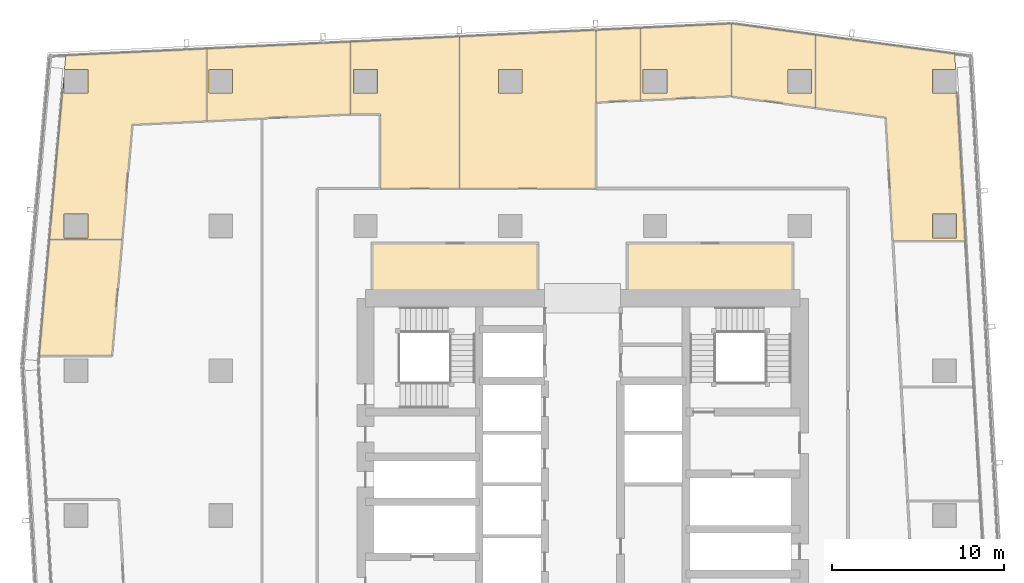
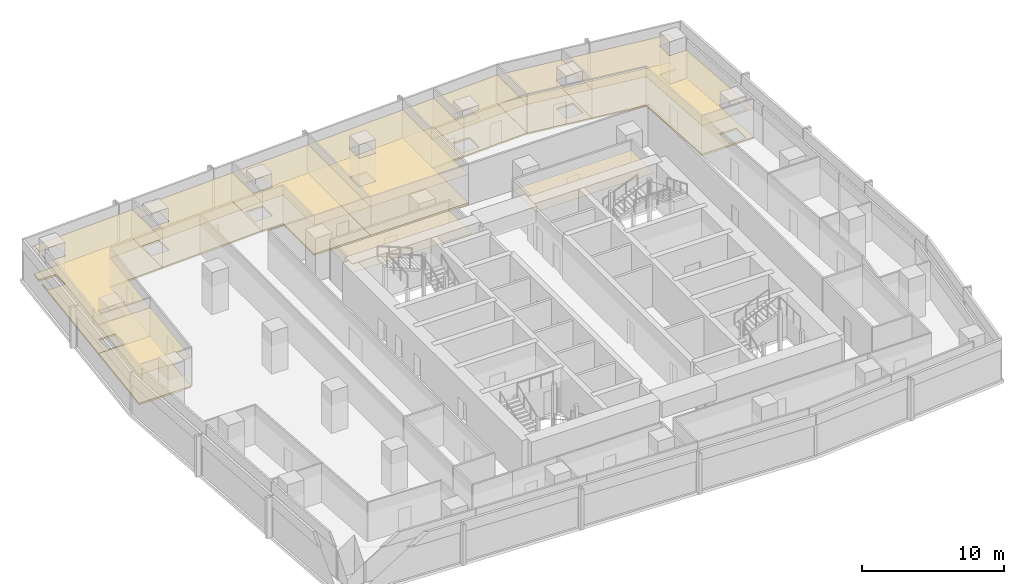
# One storey, part 38 of 38: 20 coverings.
"""IFC4 building model written with IfcOpenShell, lengths in metres."""

from ifc_helpers import new_model, si_unit, direction, frame, origin, place, context, subcontext, project, spatial, polyline, outline, extrude, material, layer, layer_set, type_object, element, save


model = new_model("IFC4")

# Units and contexts
model_context = context("Model", 3, precision=1e-05, world=origin(), true_north=direction((0.0, 1.0)))
body_context = subcontext(model_context, "Body", "Model", "MODEL_VIEW")
ifc_project = project(units=[si_unit("LENGTHUNIT", "METRE"), si_unit("AREAUNIT", "SQUARE_METRE"), si_unit("VOLUMEUNIT", "CUBIC_METRE"), si_unit("PLANEANGLEUNIT", "RADIAN"), si_unit("MASSUNIT", "GRAM", prefix="KILO")], contexts=[model_context])

# Site, building, storey
site_placement = place(None, origin())
site = spatial("IfcSite", under=ifc_project, at=site_placement, CompositionType="ELEMENT")
building_placement = place(site_placement, origin())
building = spatial("IfcBuilding", under=site, at=building_placement, Name="Rekha Terrace Tower", CompositionType="ELEMENT")
storey_placement = place(building_placement, frame((0.0, 0.0, 202.699951171875)))
storey = spatial("IfcBuildingStorey", under=building, at=storey_placement, Name="L51", CompositionType="ELEMENT", Elevation=202.699951171875)

# Coverings
ifc_material_1 = material(Name="Mineral fibre tile in exposed grid", Category="finish")
ifc_layer_1 = layer(ifc_material_1, 0.02001953125)
ifc_layer_set_1 = layer_set([ifc_layer_1], Name="Mineral fibre tile in exposed grid")
covering_type_1 = type_object("IfcCoveringType", Name="CL1 600x1200 office grid ceiling", PredefinedType="CEILING", material=ifc_layer_set_1)
covering_1_placement = place(storey_placement, frame((0.0, 0.0, 2.580078125)))
element("IfcCovering", 1, at=covering_1_placement, inside=storey, type_object=covering_type_1, Name="Ceiling L51-06", PredefinedType="CEILING", context=body_context, shape_type="SweptSolid", body=[
    extrude(outline(polyline([(59.39208984375, 60.39208984375), (51.31298828125, 61.490966796875), (51.31298828125, 57.2529296875), (55.39501953125, 56.697021484375), (55.802001953125, 49.52099609375), (60.009033203125, 49.52099609375), (59.51611328125, 58.2119140625), (59.489990234375, 58.2109375), (59.489990234375, 58.110107421875), (58.110107421875, 58.110107421875), (58.110107421875, 59.489990234375), (59.443115234375, 59.489990234375), (59.39208984375, 60.39208984375)]), holes=[polyline([(59.489990234375, 51.090087890625), (59.489990234375, 49.7099609375), (58.110107421875, 49.7099609375), (58.110107421875, 51.090087890625), (59.489990234375, 51.090087890625)])]), origin(), (0.0, 0.0, 1.0), 0.02001953125),
])
covering_2_placement = place(storey_placement, frame((0.0, 0.0, 2.580078125)))
element("IfcCovering", 2, at=covering_2_placement, inside=storey, type_object=covering_type_1, Name="Ceiling L51-07", PredefinedType="CEILING", context=body_context, shape_type="SweptSolid", body=[
    extrude(outline(polyline([(51.31201171875, 57.2529296875), (51.31201171875, 61.490966796875), (46.445068359375, 62.154052734375), (46.445068359375, 57.9150390625), (51.31201171875, 57.2529296875)]), holes=[polyline([(51.090087890625, 58.110107421875), (49.7099609375, 58.110107421875), (49.7099609375, 59.489990234375), (51.090087890625, 59.489990234375), (51.090087890625, 58.110107421875)])]), origin(), (0.0, 0.0, 1.0), 0.02001953125),
])
covering_3_placement = place(storey_placement, frame((0.0, 0.0, 2.580078125)))
element("IfcCovering", 3, at=covering_3_placement, inside=storey, type_object=covering_type_1, Name="Ceiling L51-08", PredefinedType="CEILING", context=body_context, shape_type="SweptSolid", body=[
    extrude(outline(polyline([(46.444091796875, 62.14697265625), (41.152099609375, 61.89404296875), (41.152099609375, 57.68994140625), (46.444091796875, 57.943115234375), (46.444091796875, 62.14697265625)]), holes=[polyline([(42.68994140625, 59.489990234375), (42.68994140625, 58.110107421875), (41.31005859375, 58.110107421875), (41.31005859375, 59.489990234375), (42.68994140625, 59.489990234375)])]), origin(), (0.0, 0.0, 1.0), 0.02001953125),
])
covering_4_placement = place(storey_placement, frame((0.0, 0.0, 2.580078125)))
element("IfcCovering", 4, at=covering_4_placement, inside=storey, type_object=covering_type_1, Name="Ceiling L51-09", PredefinedType="CEILING", context=body_context, shape_type="SweptSolid", body=[
    extrude(outline(polyline([(41.15087890625, 57.68994140625), (41.15087890625, 61.89404296875), (38.570068359375, 61.77099609375), (38.570068359375, 57.56591796875), (41.15087890625, 57.68994140625)])), origin(), (0.0, 0.0, 1.0), 0.02001953125),
])
covering_5_placement = place(storey_placement, frame((0.0, 0.0, 2.580078125)))
element("IfcCovering", 5, at=covering_5_placement, inside=storey, type_object=covering_type_1, Name="Ceiling L51-10", PredefinedType="CEILING", context=body_context, shape_type="SweptSolid", body=[
    extrude(outline(polyline([(24.318115234375, 61.090087890625), (24.318115234375, 56.885009765625), (26.05810546875, 56.885009765625), (26.05810546875, 52.574951171875), (30.660888671875, 52.574951171875), (30.660888671875, 61.39306640625), (24.318115234375, 61.090087890625)]), holes=[polyline([(25.889892578125, 58.110107421875), (24.510009765625, 58.110107421875), (24.510009765625, 59.489990234375), (25.889892578125, 59.489990234375), (25.889892578125, 58.110107421875)])]), origin(), (0.0, 0.0, 1.0), 0.02001953125),
])
covering_6_placement = place(storey_placement, frame((0.0, 0.0, 2.580078125)))
element("IfcCovering", 6, at=covering_6_placement, inside=storey, type_object=covering_type_1, Name="Ceiling L51-11", PredefinedType="CEILING", context=body_context, shape_type="SweptSolid", body=[
    extrude(outline(polyline([(24.31689453125, 56.885009765625), (24.31689453125, 61.090087890625), (15.989990234375, 60.69091796875), (15.989990234375, 56.487060546875), (24.31689453125, 56.885009765625)]), holes=[polyline([(17.489990234375, 59.489990234375), (17.489990234375, 58.110107421875), (16.110107421875, 58.110107421875), (16.110107421875, 59.489990234375), (17.489990234375, 59.489990234375)])]), origin(), (0.0, 0.0, 1.0), 0.02001953125),
])
covering_7_placement = place(storey_placement, frame((0.0, 0.0, 2.580078125)))
element("IfcCovering", 7, at=covering_7_placement, inside=storey, type_object=covering_type_1, Name="Ceiling L51-12", PredefinedType="CEILING", context=body_context, shape_type="SweptSolid", body=[
    extrude(outline(polyline([(7.68701171875, 59.0048828125), (6.85595703125, 49.60205078125), (11.072998046875, 49.60205078125), (11.662109375, 56.280029296875), (15.989013671875, 56.487060546875), (15.989013671875, 60.69091796875), (7.801025390625, 60.300048828125), (7.72900390625, 59.489990234375), (9.090087890625, 59.489990234375), (9.090087890625, 58.110107421875), (7.7099609375, 58.110107421875), (7.7099609375, 59.00390625), (7.68701171875, 59.0048828125)]), holes=[polyline([(9.090087890625, 49.7099609375), (7.7099609375, 49.7099609375), (7.7099609375, 51.090087890625), (9.090087890625, 51.090087890625), (9.090087890625, 49.7099609375)])]), origin(), (0.0, 0.0, 1.0), 0.02001953125),
])
covering_8_placement = place(storey_placement, frame((0.0, 0.0, 2.580078125)))
element("IfcCovering", 8, at=covering_8_placement, inside=storey, type_object=covering_type_1, Name="Ceiling L51-13", PredefinedType="CEILING", context=body_context, shape_type="SweptSolid", body=[
    extrude(outline(polyline([(11.072998046875, 49.60107421875), (6.85595703125, 49.60107421875), (6.261962890625, 42.87109375), (10.47900390625, 42.87109375), (11.072998046875, 49.60107421875)])), origin(), (0.0, 0.0, 1.0), 0.02001953125),
])
covering_9_placement = place(storey_placement, frame((0.0, 0.0, 2.580078125)))
element("IfcCovering", 9, at=covering_9_placement, inside=storey, type_object=covering_type_1, Name="Ceiling L51-20", PredefinedType="CEILING", context=body_context, shape_type="SweptSolid", body=[
    extrude(outline(polyline([(30.660888671875, 61.39306640625), (30.660888671875, 52.574951171875), (38.570068359375, 52.574951171875), (38.570068359375, 61.77099609375), (30.660888671875, 61.39306640625)]), holes=[polyline([(34.2900390625, 58.110107421875), (32.909912109375, 58.110107421875), (32.909912109375, 59.489990234375), (34.2900390625, 59.489990234375), (34.2900390625, 58.110107421875)])]), origin(), (0.0, 0.0, 1.0), 0.02001953125),
])
ifc_material_2 = material(Name="Fibre cement board", Category="finish")
ifc_layer_2 = layer(ifc_material_2, 0.014892578125)
ifc_layer_set_2 = layer_set([ifc_layer_2], Name="Fibre cement board")
covering_type_2 = type_object("IfcCoveringType", Name="CL2 moisture-resistant board ceiling", PredefinedType="CEILING", material=ifc_layer_set_2)
covering_10_placement = place(storey_placement, frame((0.0, 0.0, 2.5849609375)))
element("IfcCovering", 10, at=covering_10_placement, inside=storey, type_object=covering_type_2, Name="Ceiling L51-WCF", PredefinedType="CEILING", context=body_context, shape_type="SweptSolid", body=[
    extrude(outline(polyline([(50.0, 49.39990234375), (40.39990234375, 49.39990234375), (40.39990234375, 46.199951171875), (50.0, 46.199951171875), (50.0, 49.39990234375)])), origin(), (0.0, 0.0, 1.0), 0.01513671875),
])
covering_11_placement = place(storey_placement, frame((0.0, 0.0, 2.5849609375)))
element("IfcCovering", 11, at=covering_11_placement, inside=storey, type_object=covering_type_2, Name="Ceiling L51-WCF2", PredefinedType="CEILING", context=body_context, shape_type="SweptSolid", body=[
    extrude(outline(polyline([(35.199951171875, 49.39990234375), (25.60009765625, 49.39990234375), (25.60009765625, 46.199951171875), (35.199951171875, 46.199951171875), (35.199951171875, 49.39990234375)])), origin(), (0.0, 0.0, 1.0), 0.01513671875),
])
ifc_material_3 = material(Name="Calcium sulphate panels on steel pedestals", Category="steel")
ifc_layer_3 = layer(ifc_material_3, 0.14990234375)
ifc_layer_set_3 = layer_set([ifc_layer_3], Name="Calcium sulphate panels on steel pedestals")
covering_type_3 = type_object("IfcCoveringType", Name="RF1 150 raised access floor", PredefinedType="FLOORING", material=ifc_layer_set_3)
covering_12_placement = place(storey_placement, origin())
element("IfcCovering", 12, at=covering_12_placement, inside=storey, type_object=covering_type_3, Name="Raised floor L51-06", PredefinedType="FLOORING", context=body_context, shape_type="SweptSolid", body=[
    extrude(outline(polyline([(59.39208984375, 60.39208984375), (51.31298828125, 61.490966796875), (51.31298828125, 57.2529296875), (55.39501953125, 56.697021484375), (55.802001953125, 49.52099609375), (60.009033203125, 49.52099609375), (59.51611328125, 58.2119140625), (59.489990234375, 58.2109375), (59.489990234375, 58.110107421875), (58.110107421875, 58.110107421875), (58.110107421875, 59.489990234375), (59.443115234375, 59.489990234375), (59.39208984375, 60.39208984375)]), holes=[polyline([(59.489990234375, 51.090087890625), (59.489990234375, 49.7099609375), (58.110107421875, 49.7099609375), (58.110107421875, 51.090087890625), (59.489990234375, 51.090087890625)])]), origin(), (0.0, 0.0, 1.0), 0.150146484375),
])
covering_13_placement = place(storey_placement, origin())
element("IfcCovering", 13, at=covering_13_placement, inside=storey, type_object=covering_type_3, Name="Raised floor L51-07", PredefinedType="FLOORING", context=body_context, shape_type="SweptSolid", body=[
    extrude(outline(polyline([(51.31201171875, 57.2529296875), (51.31201171875, 61.490966796875), (46.445068359375, 62.154052734375), (46.445068359375, 57.9150390625), (51.31201171875, 57.2529296875)]), holes=[polyline([(51.090087890625, 58.110107421875), (49.7099609375, 58.110107421875), (49.7099609375, 59.489990234375), (51.090087890625, 59.489990234375), (51.090087890625, 58.110107421875)])]), origin(), (0.0, 0.0, 1.0), 0.150146484375),
])
covering_14_placement = place(storey_placement, origin())
element("IfcCovering", 14, at=covering_14_placement, inside=storey, type_object=covering_type_3, Name="Raised floor L51-08", PredefinedType="FLOORING", context=body_context, shape_type="SweptSolid", body=[
    extrude(outline(polyline([(46.444091796875, 62.14697265625), (41.152099609375, 61.89404296875), (41.152099609375, 57.68994140625), (46.444091796875, 57.943115234375), (46.444091796875, 62.14697265625)]), holes=[polyline([(42.68994140625, 59.489990234375), (42.68994140625, 58.110107421875), (41.31005859375, 58.110107421875), (41.31005859375, 59.489990234375), (42.68994140625, 59.489990234375)])]), origin(), (0.0, 0.0, 1.0), 0.150146484375),
])
covering_15_placement = place(storey_placement, origin())
element("IfcCovering", 15, at=covering_15_placement, inside=storey, type_object=covering_type_3, Name="Raised floor L51-09", PredefinedType="FLOORING", context=body_context, shape_type="SweptSolid", body=[
    extrude(outline(polyline([(41.15087890625, 57.68994140625), (41.15087890625, 61.89404296875), (38.570068359375, 61.77099609375), (38.570068359375, 57.56591796875), (41.15087890625, 57.68994140625)])), origin(), (0.0, 0.0, 1.0), 0.150146484375),
])
covering_16_placement = place(storey_placement, origin())
element("IfcCovering", 16, at=covering_16_placement, inside=storey, type_object=covering_type_3, Name="Raised floor L51-10", PredefinedType="FLOORING", context=body_context, shape_type="SweptSolid", body=[
    extrude(outline(polyline([(24.318115234375, 61.090087890625), (24.318115234375, 56.885009765625), (26.05810546875, 56.885009765625), (26.05810546875, 52.574951171875), (30.660888671875, 52.574951171875), (30.660888671875, 61.39306640625), (24.318115234375, 61.090087890625)]), holes=[polyline([(25.889892578125, 58.110107421875), (24.510009765625, 58.110107421875), (24.510009765625, 59.489990234375), (25.889892578125, 59.489990234375), (25.889892578125, 58.110107421875)])]), origin(), (0.0, 0.0, 1.0), 0.150146484375),
])
covering_17_placement = place(storey_placement, origin())
element("IfcCovering", 17, at=covering_17_placement, inside=storey, type_object=covering_type_3, Name="Raised floor L51-11", PredefinedType="FLOORING", context=body_context, shape_type="SweptSolid", body=[
    extrude(outline(polyline([(24.31689453125, 56.885009765625), (24.31689453125, 61.090087890625), (15.989990234375, 60.69091796875), (15.989990234375, 56.487060546875), (24.31689453125, 56.885009765625)]), holes=[polyline([(17.489990234375, 59.489990234375), (17.489990234375, 58.110107421875), (16.110107421875, 58.110107421875), (16.110107421875, 59.489990234375), (17.489990234375, 59.489990234375)])]), origin(), (0.0, 0.0, 1.0), 0.150146484375),
])
covering_18_placement = place(storey_placement, origin())
element("IfcCovering", 18, at=covering_18_placement, inside=storey, type_object=covering_type_3, Name="Raised floor L51-12", PredefinedType="FLOORING", context=body_context, shape_type="SweptSolid", body=[
    extrude(outline(polyline([(7.68701171875, 59.0048828125), (6.85595703125, 49.60205078125), (11.072998046875, 49.60205078125), (11.662109375, 56.280029296875), (15.989013671875, 56.487060546875), (15.989013671875, 60.69091796875), (7.801025390625, 60.300048828125), (7.72900390625, 59.489990234375), (9.090087890625, 59.489990234375), (9.090087890625, 58.110107421875), (7.7099609375, 58.110107421875), (7.7099609375, 59.00390625), (7.68701171875, 59.0048828125)]), holes=[polyline([(9.090087890625, 49.7099609375), (7.7099609375, 49.7099609375), (7.7099609375, 51.090087890625), (9.090087890625, 51.090087890625), (9.090087890625, 49.7099609375)])]), origin(), (0.0, 0.0, 1.0), 0.150146484375),
])
covering_19_placement = place(storey_placement, origin())
element("IfcCovering", 19, at=covering_19_placement, inside=storey, type_object=covering_type_3, Name="Raised floor L51-13", PredefinedType="FLOORING", context=body_context, shape_type="SweptSolid", body=[
    extrude(outline(polyline([(11.072998046875, 49.60107421875), (6.85595703125, 49.60107421875), (6.261962890625, 42.87109375), (10.47900390625, 42.87109375), (11.072998046875, 49.60107421875)])), origin(), (0.0, 0.0, 1.0), 0.150146484375),
])
covering_20_placement = place(storey_placement, origin())
element("IfcCovering", 20, at=covering_20_placement, inside=storey, type_object=covering_type_3, Name="Raised floor L51-20", PredefinedType="FLOORING", context=body_context, shape_type="SweptSolid", body=[
    extrude(outline(polyline([(30.660888671875, 61.39306640625), (30.660888671875, 52.574951171875), (38.570068359375, 52.574951171875), (38.570068359375, 61.77099609375), (30.660888671875, 61.39306640625)]), holes=[polyline([(34.2900390625, 58.110107421875), (32.909912109375, 58.110107421875), (32.909912109375, 59.489990234375), (34.2900390625, 59.489990234375), (34.2900390625, 58.110107421875)])]), origin(), (0.0, 0.0, 1.0), 0.150146484375),
])

save(model, "model.ifc")
